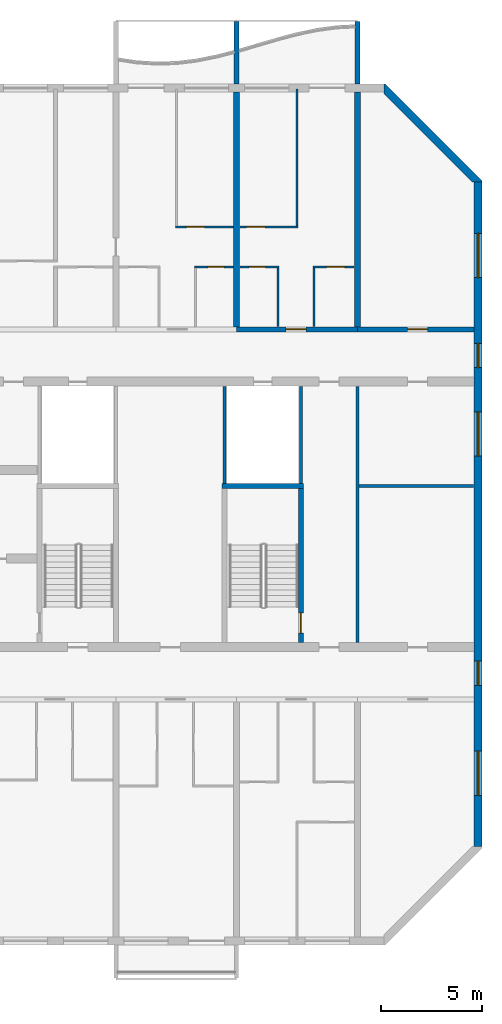
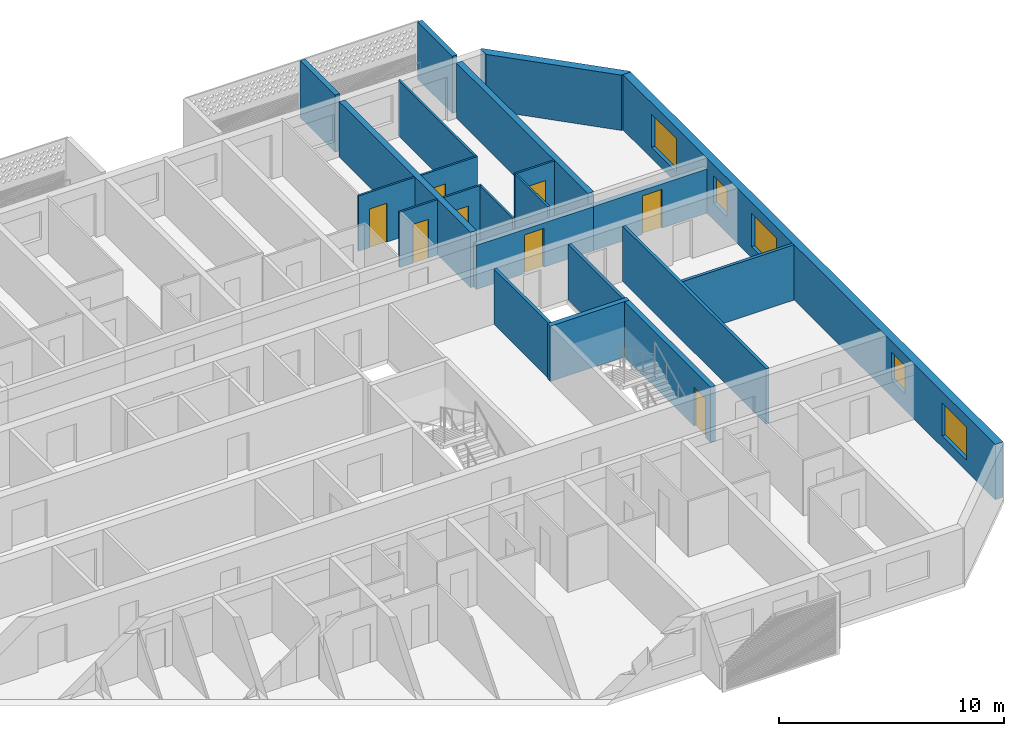
# One storey, part 12 of 32: 22 walls, 8 doors, 5 windows, 13 openings.
"""IFC4 building model written with IfcOpenShell, lengths in metres."""

import ifcopenshell
import ifcopenshell.guid

model = None  # the IFC model being written
_history = None  # IfcOwnerHistory: only IFC2X3 demands one
_inside = {}  # id of a spatial element -> (the spatial element, [elements in it])
_under = {}  # id of a project, library or spatial element -> (it, [spatial elements below it])
_declared = {}  # id of a project -> (the project, [libraries it declares])
_typed = {}  # id of a type object -> (the type object, [elements of that type])
_made_of = {}  # id of a material, layer set ... -> (it, [elements and type objects made of it])


def new_model(schema):
    """Start an empty IFC model of exactly this schema.

    Asked for "IFC4X3", IfcOpenShell would pick the latest addendum, in which some entities
    have other attributes; the version numbers below select the first issue.
    IFC2X3 requires an IfcOwnerHistory on every rooted entity: one is made here for all.
    """
    global model, _history
    if schema == "IFC4X3":
        model = ifcopenshell.file(schema_version=(4, 3, 0, 0))
    else:
        model = ifcopenshell.file(schema=schema)
    _inside.clear()
    _under.clear()
    _declared.clear()
    _typed.clear()
    _made_of.clear()
    _history = None
    if model.schema == "IFC2X3":
        org = make("IfcOrganization", Name="unknown")
        user = make(
            "IfcPersonAndOrganization",
            ThePerson=make("IfcPerson", FamilyName="unknown"),
            TheOrganization=org,
        )
        app = make(
            "IfcApplication",
            ApplicationDeveloper=org,
            Version="unknown",
            ApplicationFullName="unknown",
            ApplicationIdentifier="unknown",
        )
        _history = make(
            "IfcOwnerHistory",
            OwningUser=user,
            OwningApplication=app,
            ChangeAction="ADDED",
            CreationDate=0,
        )
    return model


def make(cls, **values):
    """One entity of the class cls with the attributes given. An attribute that is None is left unset."""
    return model.create_entity(
        cls, **{name: value for name, value in values.items() if value is not None}
    )


def rooted(cls, **values):
    """An entity with a GlobalId (a new one), such as an element, a storey or a relation."""
    return make(cls, GlobalId=ifcopenshell.guid.new(), OwnerHistory=_history, **values)


def si_unit(unit_type, name, prefix=None):
    """IfcSIUnit, for example si_unit("LENGTHUNIT", "METRE", prefix="MILLI")."""
    return make("IfcSIUnit", UnitType=unit_type, Prefix=prefix, Name=name)


def assignment(units):
    """IfcUnitAssignment: the units of a project."""
    return None if units is None else make("IfcUnitAssignment", Units=units)


def point(xyz):
    """IfcCartesianPoint."""
    return None if xyz is None else make("IfcCartesianPoint", Coordinates=xyz)


def direction(xyz):
    """IfcDirection."""
    return None if xyz is None else make("IfcDirection", DirectionRatios=xyz)


def frame(location, z_axis=None, x_axis=None):
    """IfcAxis2Placement3D, a coordinate frame: its origin and axes. An axis left out is left unset."""
    return make(
        "IfcAxis2Placement3D",
        Location=point(location),
        Axis=direction(z_axis),
        RefDirection=direction(x_axis),
    )


def frame_2d(location, x_axis=None):
    """IfcAxis2Placement2D, a coordinate frame in the plane: its origin and x axis."""
    return make(
        "IfcAxis2Placement2D", Location=point(location), RefDirection=direction(x_axis)
    )


def origin():
    """The frame at (0, 0, 0) with its axes left unset."""
    return frame((0.0, 0.0, 0.0))


def place(relative_to, where):
    """IfcLocalPlacement: puts the frame where relative to a parent placement (None: the world)."""
    return make(
        "IfcLocalPlacement", PlacementRelTo=relative_to, RelativePlacement=where
    )


def context(
    kind, dimensions, precision=None, world=None, true_north=None, identifier=None
):
    """IfcGeometricRepresentationContext, for example the 3D "Model" context."""
    return make(
        "IfcGeometricRepresentationContext",
        ContextIdentifier=identifier,
        ContextType=kind,
        CoordinateSpaceDimension=dimensions,
        Precision=precision,
        WorldCoordinateSystem=world,
        TrueNorth=true_north,
    )


def subcontext(parent, identifier, kind, view, scale=None):
    """IfcGeometricRepresentationSubContext, for example "Body" below "Model"."""
    return make(
        "IfcGeometricRepresentationSubContext",
        ContextIdentifier=identifier,
        ContextType=kind,
        ParentContext=parent,
        TargetScale=scale,
        TargetView=view,
    )


def project(units=None, contexts=None):
    """IfcProject with its units and contexts."""
    return rooted(
        "IfcProject",
        Name="project",
        RepresentationContexts=contexts,
        UnitsInContext=assignment(units),
    )


def spatial(cls, under=None, at=None, **own):
    """A site, building, storey or space (cls), placed at a placement, below another one or the project."""
    s = rooted(cls, ObjectPlacement=at, **own)
    if under is not None:
        _under.setdefault(under.id(), (under, []))[1].append(s)
    return s


def polyline(points):
    """IfcPolyline through the points."""
    return make("IfcPolyline", Points=[point(p) for p in points])


def profile(cls, at=None, kind="AREA", **sizes):
    """A parametric profile (cls). Its sizes go by their IFC names, for example OverallWidth=200.0."""
    return make(cls, ProfileType=kind, Position=at, **sizes)


def rectangle(**sizes):
    """IfcRectangleProfileDef."""
    return profile("IfcRectangleProfileDef", **sizes)


def outline(outer, holes=None, kind="AREA"):
    """IfcArbitraryClosedProfileDef: a profile drawn as a closed curve; with holes, ...WithVoids."""
    if holes is None:
        return make("IfcArbitraryClosedProfileDef", ProfileType=kind, OuterCurve=outer)
    return make(
        "IfcArbitraryProfileDefWithVoids",
        ProfileType=kind,
        OuterCurve=outer,
        InnerCurves=holes,
    )


def extrude(swept, where, along, depth):
    """IfcExtrudedAreaSolid: the profile swept, set in the frame where, extruded along a direction by depth."""
    return make(
        "IfcExtrudedAreaSolid",
        SweptArea=swept,
        Position=where,
        ExtrudedDirection=direction(along),
        Depth=depth,
    )


def shape(context_of_items, identifier, shape_type, items):
    """IfcShapeRepresentation: the items that make up one representation, for example the "Body"."""
    return make(
        "IfcShapeRepresentation",
        ContextOfItems=context_of_items,
        RepresentationIdentifier=identifier,
        RepresentationType=shape_type,
        Items=items,
    )


def source(mapping_origin, context_of_items, identifier, shape_type, items):
    """IfcRepresentationMap: a shape defined once, which mapped items show again and again."""
    return make(
        "IfcRepresentationMap",
        MappingOrigin=mapping_origin,
        MappedRepresentation=shape(context_of_items, identifier, shape_type, items),
    )


def transform(
    local_origin,
    x_axis=None,
    y_axis=None,
    z_axis=None,
    scale=None,
    scale2=None,
    scale3=None,
    uniform=True,
):
    """IfcCartesianTransformationOperator3D, or its non-uniform kind. x_axis, y_axis, z_axis: its Axis1, 2, 3."""
    if uniform:
        return make(
            "IfcCartesianTransformationOperator3D",
            Axis1=direction(x_axis),
            Axis2=direction(y_axis),
            LocalOrigin=point(local_origin),
            Scale=scale,
            Axis3=direction(z_axis),
        )
    return make(
        "IfcCartesianTransformationOperator3DnonUniform",
        Axis1=direction(x_axis),
        Axis2=direction(y_axis),
        LocalOrigin=point(local_origin),
        Scale=scale,
        Axis3=direction(z_axis),
        Scale2=scale2,
        Scale3=scale3,
    )


def mapped(mapping_source, mapping_target):
    """IfcMappedItem: shows the shape of a source again, moved by a transform."""
    return make(
        "IfcMappedItem", MappingSource=mapping_source, MappingTarget=mapping_target
    )


def material(Name=None, Category=None):
    """IfcMaterial."""
    return make("IfcMaterial", Name=Name, Category=Category)


def layer(
    of_material, thickness, ventilated=None, Name=None, Category=None, Priority=None
):
    """IfcMaterialLayer: one layer of a wall or slab, of a material (None: an air gap)."""
    return make(
        "IfcMaterialLayer",
        Material=of_material,
        LayerThickness=thickness,
        IsVentilated=ventilated,
        Name=Name,
        Category=Category,
        Priority=Priority,
    )


def layer_set(layers, Name=None):
    """IfcMaterialLayerSet."""
    return make("IfcMaterialLayerSet", MaterialLayers=layers, LayerSetName=Name)


def made_of(thing, what):
    """Note that an element or type object is made of a material, layer set ...; save() writes the relation."""
    if what is not None:
        _made_of.setdefault(what.id(), (what, []))[1].append(thing)
    return thing


def type_object(cls, material=None, **own):
    """A type object (cls), such as IfcWallType, which elements share."""
    return made_of(rooted(cls, **own), material)


def element(
    cls,
    number,
    at=None,
    inside=None,
    cuts=None,
    type_object=None,
    material=None,
    context=None,
    identifier="Body",
    shape_type=None,
    held_by="IfcProductDefinitionShape",
    body=None,
    shapes=None,
    **own,
):
    """One element of the class cls, such as IfcWall. Its Tag is "e" and its number.

    at: its placement. inside: the storey or other place that contains it. cuts: it is an
    opening in that element (IfcRelVoidsElement). A single representation is given by context,
    identifier, shape_type and body (its items); several are given by shapes. held_by: the class
    of the entity that holds the representations. save() writes the other relations.
    """
    e = rooted(cls, Tag="e%d" % number, ObjectPlacement=at, **own)
    if body is not None:
        shapes = [shape(context, identifier, shape_type, body)]
    if shapes is not None:
        e.Representation = make(held_by, Representations=shapes)
    if inside is not None:
        _inside.setdefault(inside.id(), (inside, []))[1].append(e)
    if cuts is not None:
        rooted(
            "IfcRelVoidsElement", RelatingBuildingElement=cuts, RelatedOpeningElement=e
        )
    if type_object is not None:
        _typed.setdefault(type_object.id(), (type_object, []))[1].append(e)
    return made_of(e, material)


def fill(opening, filler):
    """IfcRelFillsElement: the door or window that sits in an opening."""
    return rooted(
        "IfcRelFillsElement",
        RelatingOpeningElement=opening,
        RelatedBuildingElement=filler,
    )


def aggregate(whole, parts):
    """IfcRelAggregates: a whole, such as a stair, and the parts it consists of."""
    return rooted("IfcRelAggregates", RelatingObject=whole, RelatedObjects=parts)


def save(model, path):
    """Write the relations noted so far, then the file.

    IfcRelAggregates (storeys below a building ...), IfcRelContainedInSpatialStructure (elements
    in a storey), IfcRelDefinesByType, IfcRelAssociatesMaterial and IfcRelDeclares: one each for
    every whole, place, type object, material and project.
    """
    for whole, parts in _under.values():
        aggregate(whole, parts)
    for where, things in _inside.values():
        rooted(
            "IfcRelContainedInSpatialStructure",
            RelatedElements=things,
            RelatingStructure=where,
        )
    for kind, things in _typed.values():
        rooted("IfcRelDefinesByType", RelatedObjects=things, RelatingType=kind)
    for what, things in _made_of.values():
        rooted("IfcRelAssociatesMaterial", RelatedObjects=things, RelatingMaterial=what)
    for by, libraries in _declared.values():
        rooted("IfcRelDeclares", RelatingContext=by, RelatedDefinitions=libraries)
    model.write(path)


model = new_model("IFC4")

# Units and contexts
model_context = context("Model", 3, precision=1e-05, world=origin(), true_north=direction((0.0, 1.0)))
body_context = subcontext(model_context, "Body", "Model", "MODEL_VIEW")
ifc_project = project(units=[si_unit("LENGTHUNIT", "METRE"), si_unit("AREAUNIT", "SQUARE_METRE"), si_unit("VOLUMEUNIT", "CUBIC_METRE"), si_unit("PLANEANGLEUNIT", "RADIAN"), si_unit("MASSUNIT", "GRAM", prefix="KILO")], contexts=[model_context])

# Site, building, storey
site_placement = place(None, origin())
site = spatial("IfcSite", under=ifc_project, at=site_placement, CompositionType="ELEMENT")
building_placement = place(site_placement, origin())
building = spatial("IfcBuilding", under=site, at=building_placement, Name="Poui Terraces", CompositionType="ELEMENT")
storey_placement = place(building_placement, frame((0.0, 0.0, 155.39990234375)))
storey = spatial("IfcBuildingStorey", under=building, at=storey_placement, Name="L43", CompositionType="ELEMENT", Elevation=155.39990234375)

# Wall
ifc_material_1 = material(Name="Fire-rated plasterboard wall")
ifc_layer_1 = layer(ifc_material_1, 0.14990234375)
ifc_layer_set_1 = layer_set([ifc_layer_1], Name="Fire-rated plasterboard wall")
wall_type_1 = type_object("IfcWallType", Name="CORRIDOR WALL 150", PredefinedType="PARTITIONING", material=ifc_layer_set_1)
wall_1_placement = place(storey_placement, frame((84.0, 14.8349609375, 0.0), z_axis=(0.0, 0.0, 1.0), x_axis=(0.0, 1.0, 0.0)))
element("IfcWall", 1, at=wall_1_placement, inside=storey, type_object=wall_type_1, Name="CORRIDOR WALL 150", PredefinedType="PARTITIONING", context=body_context, shape_type="SweptSolid", body=[
    extrude(rectangle(XDim=12.72998046875, YDim=0.14990234375, at=frame_2d((6.364990234375, 0.0))), origin(), (0.0, 0.0, 1.0), 3.0),
])

# Wall, opening, door
ifc_material_2 = material(Name="Concrete 65 MPa", Category="concrete")
ifc_layer_2 = layer(ifc_material_2, 0.25)
ifc_layer_set_2 = layer_set([ifc_layer_2], Name="Concrete 65 MPa")
wall_type_2 = type_object("IfcWallType", Name="CORRIDOR WALL 250 65MPa", PredefinedType="SHEAR", material=ifc_layer_set_2)
wall_2_placement = place(storey_placement, frame((78.0, 30.39990234375, 0.0), z_axis=(0.0, 0.0, 1.0), x_axis=(1.0, 0.0, 0.0)))
wall_2 = element("IfcWall", 2, at=wall_2_placement, inside=storey, type_object=wall_type_2, Name="CORRIDOR WALL LINE E BAY 12", PredefinedType="SHEAR", context=body_context, shape_type="SweptSolid", body=[
    extrude(rectangle(XDim=6.0, YDim=0.25, at=frame_2d((3.0, 0.0))), origin(), (0.0, 0.0, 1.0), 2.400146484375),
])
opening_1_placement = place(wall_2_placement, frame((2.449951171875, 0.0, 0.0)))
opening_1 = element("IfcOpeningElement", 3, at=opening_1_placement, cuts=wall_2, Name="Opening FD30S", PredefinedType="OPENING", context=body_context, shape_type="SweptSolid", body=[
    extrude(rectangle(XDim=1.0, YDim=2.10009765625, at=frame_2d((0.5, 1.050048828125))), frame((0.0, 0.135009765625, 0.0), z_axis=(0.0, -1.0, 0.0), x_axis=(1.0, 0.0, 0.0)), (0.0, 0.0, 1.0), 0.27001953125),
])
ifc_material_3 = material(Name="Steel fire door", Category="steel")
door_type_1 = type_object("IfcDoorType", Name="FLAT ENTRANCE DOOR 1000 X 2100", OperationType="NOTDEFINED", PredefinedType="DOOR", material=ifc_material_3)
door_1_placement = place(opening_1_placement, origin())
door_1 = element("IfcDoor", 4, at=door_1_placement, inside=storey, type_object=door_type_1, Name="FLAT ENTRANCE DOOR 071", OperationType="SINGLE_SWING_LEFT", OverallHeight=2.10009765625, OverallWidth=1.0, PredefinedType="DOOR", context=body_context, shape_type="SweptSolid", body=[
    extrude(rectangle(XDim=1.0, YDim=2.10009765625, at=frame_2d((0.5, 1.050048828125))), frame((0.0, 0.02490234375, 0.0), z_axis=(0.0, -1.0, 0.0), x_axis=(1.0, 0.0, 0.0)), (0.0, 0.0, 1.0), 0.050048828125),
])
fill(opening_1, door_1)

wall_3_placement = place(storey_placement, frame((84.0, 30.39990234375, 0.0), z_axis=(0.0, 0.0, 1.0), x_axis=(1.0, 0.0, 0.0)))
wall_3 = element("IfcWall", 5, at=wall_3_placement, inside=storey, type_object=wall_type_2, Name="CORRIDOR WALL LINE E BAY 13", PredefinedType="SHEAR", context=body_context, shape_type="SweptSolid", body=[
    extrude(rectangle(XDim=5.800048828125, YDim=0.25, at=frame_2d((2.89990234375, 0.0))), origin(), (0.0, 0.0, 1.0), 2.400146484375),
])
opening_2_placement = place(wall_3_placement, frame((2.5, 0.0, 0.0)))
opening_2 = element("IfcOpeningElement", 6, at=opening_2_placement, cuts=wall_3, Name="Opening D100", PredefinedType="OPENING", context=body_context, shape_type="SweptSolid", body=[
    extrude(rectangle(XDim=1.0, YDim=2.10009765625, at=frame_2d((0.5, 1.050048828125))), frame((0.0, 0.135009765625, 0.0), z_axis=(0.0, -1.0, 0.0), x_axis=(1.0, 0.0, 0.0)), (0.0, 0.0, 1.0), 0.27001953125),
])
ifc_material_4 = material(Name="Solid core timber door", Category="wood")
door_type_2 = type_object("IfcDoorType", Name="ACCESSIBLE INTERNAL DOOR 1000 X 2100", OperationType="NOTDEFINED", PredefinedType="DOOR", material=ifc_material_4)
door_2_placement = place(opening_2_placement, origin())
door_2 = element("IfcDoor", 7, at=door_2_placement, inside=storey, type_object=door_type_2, Name="ACCESSIBLE INTERNAL DOOR 073", OperationType="SINGLE_SWING_LEFT", OverallHeight=2.10009765625, OverallWidth=1.0, PredefinedType="DOOR", context=body_context, shape_type="SweptSolid", body=[
    extrude(rectangle(XDim=1.0, YDim=2.10009765625, at=frame_2d((0.5, 1.050048828125))), frame((0.0, 0.02490234375, 0.0), z_axis=(0.0, -1.0, 0.0), x_axis=(1.0, 0.0, 0.0)), (0.0, 0.0, 1.0), 0.050048828125),
])
fill(opening_2, door_2)

# Walls
ifc_layer_3 = layer(ifc_material_2, 0.300048828125)
ifc_layer_set_3 = layer_set([ifc_layer_3], Name="Concrete 65 MPa")
wall_type_3 = type_object("IfcWallType", Name="CROSS WALL 300 65MPa", PredefinedType="SHEAR", material=ifc_layer_set_3)
for number, where, z_axis, x_axis, name in (
    (8, (78.0, 30.52490234375, 0.0), (0.0, 0.0, 1.0), (0.0, 1.0, 0.0), "CROSS WALL LINE 14 NORTH"),
    (9, (84.0, 30.52490234375, 0.0), (0.0, 0.0, 1.0), (0.0, 1.0, 0.0), "CROSS WALL LINE 15 NORTH"),
):
    element("IfcWall", number, at=place(storey_placement, frame(where, z_axis=z_axis, x_axis=x_axis)), inside=storey, type_object=wall_type_3, Name=name, PredefinedType="SHEAR", context=body_context, shape_type="SweptSolid", body=[
        extrude(rectangle(XDim=11.675048828125, YDim=0.300048828125, at=frame_2d((5.83740234375, 0.0))), origin(), (0.0, 0.0, 1.0), 3.0),
    ])

# Wall, openings, windows
ifc_layer_4 = layer(ifc_material_2, 0.39990234375)
ifc_layer_set_4 = layer_set([ifc_layer_4], Name="Concrete 65 MPa")
wall_type_4 = type_object("IfcWallType", Name="END WALL 400 65MPa", PredefinedType="SHEAR", material=ifc_layer_set_4)
wall_4_placement = place(storey_placement, frame((90.0, 4.682861328125, 0.0), z_axis=(0.0, 0.0, 1.0), x_axis=(0.0, 1.0, 0.0)))
wall_4 = element("IfcWall", 10, at=wall_4_placement, inside=storey, type_object=wall_type_4, Name="END WALL EAST", PredefinedType="SHEAR", context=body_context, shape_type="SweptSolid", body=[
    extrude(rectangle(XDim=33.034423828125, YDim=0.39990234375, at=frame_2d((16.51708984375, 0.0))), origin(), (0.0, 0.0, 1.0), 3.0),
])
opening_3_placement = place(wall_4_placement, frame((23.817138671875, 0.0, 0.89990234375)))
opening_3 = element("IfcOpeningElement", 11, at=opening_3_placement, cuts=wall_4, Name="Opening W2", PredefinedType="OPENING", context=body_context, shape_type="SweptSolid", body=[
    extrude(rectangle(XDim=1.199951171875, YDim=1.5, at=frame_2d((0.60009765625, 0.75))), frame((0.0, 0.2099609375, 0.0), z_axis=(0.0, -1.0, 0.0), x_axis=(1.0, 0.0, 0.0)), (0.0, 0.0, 1.0), 0.419921875),
])
opening_4_placement = place(wall_4_placement, frame((8.01708984375, 0.0, 0.89990234375)))
opening_4 = element("IfcOpeningElement", 12, at=opening_4_placement, cuts=wall_4, Name="Opening W2", PredefinedType="OPENING", context=body_context, shape_type="SweptSolid", body=[
    extrude(rectangle(XDim=1.199951171875, YDim=1.5, at=frame_2d((0.60009765625, 0.75))), frame((0.0, 0.2099609375, 0.0), z_axis=(0.0, -1.0, 0.0), x_axis=(1.0, 0.0, 0.0)), (0.0, 0.0, 1.0), 0.419921875),
])
opening_5_placement = place(wall_4_placement, frame((28.29345703125, 0.0, 0.60009765625)))
opening_5 = element("IfcOpeningElement", 13, at=opening_5_placement, cuts=wall_4, Name="Opening W3", PredefinedType="OPENING", context=body_context, shape_type="SweptSolid", body=[
    extrude(rectangle(XDim=2.199951171875, YDim=1.800048828125, at=frame_2d((1.10009765625, 0.89990234375))), frame((0.0, 0.2099609375, 0.0), z_axis=(0.0, -1.0, 0.0), x_axis=(1.0, 0.0, 0.0)), (0.0, 0.0, 1.0), 0.419921875),
])
opening_6_placement = place(wall_4_placement, frame((2.541015625, 0.0, 0.60009765625)))
opening_6 = element("IfcOpeningElement", 14, at=opening_6_placement, cuts=wall_4, Name="Opening W3", PredefinedType="OPENING", context=body_context, shape_type="SweptSolid", body=[
    extrude(rectangle(XDim=2.199951171875, YDim=1.800048828125, at=frame_2d((1.10009765625, 0.89990234375))), frame((0.0, 0.2099609375, 0.0), z_axis=(0.0, -1.0, 0.0), x_axis=(1.0, 0.0, 0.0)), (0.0, 0.0, 1.0), 0.419921875),
])
opening_7_placement = place(wall_4_placement, frame((19.417236328125, 0.0, 0.60009765625)))
opening_7 = element("IfcOpeningElement", 15, at=opening_7_placement, cuts=wall_4, Name="Opening W3", PredefinedType="OPENING", context=body_context, shape_type="SweptSolid", body=[
    extrude(rectangle(XDim=2.199951171875, YDim=1.800048828125, at=frame_2d((1.10009765625, 0.89990234375))), frame((0.0, 0.2099609375, 0.0), z_axis=(0.0, -1.0, 0.0), x_axis=(1.0, 0.0, 0.0)), (0.0, 0.0, 1.0), 0.419921875),
])
ifc_material_5 = material(Name="Clear glass in aluminium frame", Category="aluminium")
window_type_1 = type_object("IfcWindowType", Name="WINDOW 1200X1500", PartitioningType="SINGLE_PANEL", PredefinedType="WINDOW", material=ifc_material_5)
window_1_placement = place(opening_3_placement, origin())
window_1 = element("IfcWindow", 16, at=window_1_placement, inside=storey, type_object=window_type_1, Name="W2 WINDOW", OverallHeight=1.5, OverallWidth=1.199951171875, PartitioningType="SINGLE_PANEL", PredefinedType="WINDOW", context=body_context, shape_type="SweptSolid", body=[
    extrude(rectangle(XDim=1.199951171875, YDim=1.5, at=frame_2d((0.60009765625, 0.75))), frame((0.0, 0.030029296875, 0.0), z_axis=(0.0, -1.0, 0.0), x_axis=(1.0, 0.0, 0.0)), (0.0, 0.0, 1.0), 0.06005859375),
])
fill(opening_3, window_1)
window_2_placement = place(opening_4_placement, origin())
window_2 = element("IfcWindow", 17, at=window_2_placement, inside=storey, type_object=window_type_1, Name="W2 WINDOW", OverallHeight=1.5, OverallWidth=1.199951171875, PartitioningType="SINGLE_PANEL", PredefinedType="WINDOW", context=body_context, shape_type="SweptSolid", body=[
    extrude(rectangle(XDim=1.199951171875, YDim=1.5, at=frame_2d((0.60009765625, 0.75))), frame((0.0, 0.030029296875, 0.0), z_axis=(0.0, -1.0, 0.0), x_axis=(1.0, 0.0, 0.0)), (0.0, 0.0, 1.0), 0.06005859375),
])
fill(opening_4, window_2)
window_type_2 = type_object("IfcWindowType", Name="WINDOW 2200X1800", PartitioningType="DOUBLE_PANEL_HORIZONTAL", PredefinedType="WINDOW", material=ifc_material_5)
window_3_placement = place(opening_5_placement, origin())
window_3 = element("IfcWindow", 18, at=window_3_placement, inside=storey, type_object=window_type_2, Name="W3 WINDOW", OverallHeight=1.800048828125, OverallWidth=2.199951171875, PartitioningType="DOUBLE_PANEL_HORIZONTAL", PredefinedType="WINDOW", context=body_context, shape_type="SweptSolid", body=[
    extrude(rectangle(XDim=2.199951171875, YDim=1.800048828125, at=frame_2d((1.10009765625, 0.89990234375))), frame((0.0, 0.030029296875, 0.0), z_axis=(0.0, -1.0, 0.0), x_axis=(1.0, 0.0, 0.0)), (0.0, 0.0, 1.0), 0.06005859375),
])
fill(opening_5, window_3)
window_4_placement = place(opening_6_placement, origin())
window_4 = element("IfcWindow", 19, at=window_4_placement, inside=storey, type_object=window_type_2, Name="W3 WINDOW", OverallHeight=1.800048828125, OverallWidth=2.199951171875, PartitioningType="DOUBLE_PANEL_HORIZONTAL", PredefinedType="WINDOW", context=body_context, shape_type="SweptSolid", body=[
    extrude(rectangle(XDim=2.199951171875, YDim=1.800048828125, at=frame_2d((1.10009765625, 0.89990234375))), frame((0.0, 0.030029296875, 0.0), z_axis=(0.0, -1.0, 0.0), x_axis=(1.0, 0.0, 0.0)), (0.0, 0.0, 1.0), 0.06005859375),
])
fill(opening_6, window_4)
window_5_placement = place(opening_7_placement, origin())
window_5 = element("IfcWindow", 20, at=window_5_placement, inside=storey, type_object=window_type_2, Name="W3 WINDOW", OverallHeight=1.800048828125, OverallWidth=2.199951171875, PartitioningType="DOUBLE_PANEL_HORIZONTAL", PredefinedType="WINDOW", context=body_context, shape_type="SweptSolid", body=[
    extrude(rectangle(XDim=2.199951171875, YDim=1.800048828125, at=frame_2d((1.10009765625, 0.89990234375))), frame((0.0, 0.030029296875, 0.0), z_axis=(0.0, -1.0, 0.0), x_axis=(1.0, 0.0, 0.0)), (0.0, 0.0, 1.0), 0.06005859375),
])
fill(opening_7, window_5)

# Wall, opening, door
ifc_material_6 = material(Name="Plasterboard partition")
ifc_layer_5 = layer(ifc_material_6, 0.10009765625)
ifc_layer_set_5 = layer_set([ifc_layer_5], Name="Plasterboard partition")
wall_type_5 = type_object("IfcWallType", Name="FLAT PARTITION 100", PredefinedType="PARTITIONING", material=ifc_layer_set_5)
wall_5_placement = place(storey_placement, frame((75.89990234375, 33.5, 0.0), z_axis=(0.0, 0.0, 1.0), x_axis=(1.0, 0.0, 0.0)))
wall_5 = element("IfcWall", 21, at=wall_5_placement, inside=storey, type_object=wall_type_5, Name="FLAT PARTITION 100", PredefinedType="PARTITIONING", context=body_context, shape_type="SweptSolid", body=[
    extrude(rectangle(XDim=1.940185546875, YDim=0.10009765625, at=frame_2d((0.97021484375, 0.0))), origin(), (0.0, 0.0, 1.0), 3.0),
])
opening_8_placement = place(wall_5_placement, frame((0.675048828125, 0.0, 0.0)))
opening_8 = element("IfcOpeningElement", 22, at=opening_8_placement, cuts=wall_5, Name="Opening D80", PredefinedType="OPENING", context=body_context, shape_type="SweptSolid", body=[
    extrude(rectangle(XDim=0.800048828125, YDim=2.10009765625, at=frame_2d((0.39990234375, 1.050048828125))), frame((0.0, 0.06005859375, 0.0), z_axis=(0.0, -1.0, 0.0), x_axis=(1.0, 0.0, 0.0)), (0.0, 0.0, 1.0), 0.1201171875),
])
door_type_3 = type_object("IfcDoorType", Name="BATHROOM, LAUNDRY AND STORE DOOR 800 X 2100", OperationType="NOTDEFINED", PredefinedType="DOOR", material=ifc_material_4)
door_3_placement = place(opening_8_placement, frame((0.800048828125, 0.0, 0.0), z_axis=(0.0, 0.0, 1.0), x_axis=(-1.0, 0.0, 0.0)))
door_3 = element("IfcDoor", 23, at=door_3_placement, inside=storey, type_object=door_type_3, Name="BATHROOM, LAUNDRY AND STORE DOOR 068", OperationType="SINGLE_SWING_RIGHT", OverallHeight=2.10009765625, OverallWidth=0.800048828125, PredefinedType="DOOR", context=body_context, shape_type="SweptSolid", body=[
    extrude(rectangle(XDim=0.800048828125, YDim=2.10009765625, at=frame_2d((0.39990234375, 1.050048828125))), frame((0.0, 0.02490234375, 0.0), z_axis=(0.0, -1.0, 0.0), x_axis=(1.0, 0.0, 0.0)), (0.0, 0.0, 1.0), 0.050048828125),
])
fill(opening_8, door_3)

wall_6_placement = place(storey_placement, frame((78.159912109375, 33.5, 0.0), z_axis=(0.0, 0.0, 1.0), x_axis=(1.0, 0.0, 0.0)))
wall_6 = element("IfcWall", 24, at=wall_6_placement, inside=storey, type_object=wall_type_5, Name="FLAT PARTITION 100", PredefinedType="PARTITIONING", context=body_context, shape_type="SweptSolid", body=[
    extrude(rectangle(XDim=1.940185546875, YDim=0.10009765625, at=frame_2d((0.97021484375, 0.0))), origin(), (0.0, 0.0, 1.0), 3.0),
])
opening_9_placement = place(wall_6_placement, frame((0.465087890625, 0.0, 0.0)))
opening_9 = element("IfcOpeningElement", 25, at=opening_9_placement, cuts=wall_6, Name="Opening D80", PredefinedType="OPENING", context=body_context, shape_type="SweptSolid", body=[
    extrude(rectangle(XDim=0.800048828125, YDim=2.10009765625, at=frame_2d((0.39990234375, 1.050048828125))), frame((0.0, 0.06005859375, 0.0), z_axis=(0.0, -1.0, 0.0), x_axis=(1.0, 0.0, 0.0)), (0.0, 0.0, 1.0), 0.1201171875),
])
door_4_placement = place(opening_9_placement, frame((0.800048828125, 0.0, 0.0), z_axis=(0.0, 0.0, 1.0), x_axis=(-1.0, 0.0, 0.0)))
door_4 = element("IfcDoor", 26, at=door_4_placement, inside=storey, type_object=door_type_3, Name="BATHROOM, LAUNDRY AND STORE DOOR 070", OperationType="SINGLE_SWING_RIGHT", OverallHeight=2.10009765625, OverallWidth=0.800048828125, PredefinedType="DOOR", context=body_context, shape_type="SweptSolid", body=[
    extrude(rectangle(XDim=0.800048828125, YDim=2.10009765625, at=frame_2d((0.39990234375, 1.050048828125))), frame((0.0, 0.02490234375, 0.0), z_axis=(0.0, -1.0, 0.0), x_axis=(1.0, 0.0, 0.0)), (0.0, 0.0, 1.0), 0.050048828125),
])
fill(opening_9, door_4)

wall_7_placement = place(storey_placement, frame((81.800048828125, 33.5, 0.0), z_axis=(0.0, 0.0, 1.0), x_axis=(1.0, 0.0, 0.0)))
wall_7 = element("IfcWall", 27, at=wall_7_placement, inside=storey, type_object=wall_type_5, Name="FLAT PARTITION 100", PredefinedType="PARTITIONING", context=body_context, shape_type="SweptSolid", body=[
    extrude(rectangle(XDim=2.0400390625, YDim=0.10009765625, at=frame_2d((1.02001953125, 0.0))), origin(), (0.0, 0.0, 1.0), 3.0),
])
opening_10_placement = place(wall_7_placement, frame((0.675048828125, 0.0, 0.0)))
opening_10 = element("IfcOpeningElement", 28, at=opening_10_placement, cuts=wall_7, Name="Opening D90", PredefinedType="OPENING", context=body_context, shape_type="SweptSolid", body=[
    extrude(rectangle(XDim=0.89990234375, YDim=2.10009765625, at=frame_2d((0.449951171875, 1.050048828125))), frame((0.0, 0.06005859375, 0.0), z_axis=(0.0, -1.0, 0.0), x_axis=(1.0, 0.0, 0.0)), (0.0, 0.0, 1.0), 0.1201171875),
])
door_type_4 = type_object("IfcDoorType", Name="INTERNAL DOOR 900 X 2100", OperationType="NOTDEFINED", PredefinedType="DOOR", material=ifc_material_4)
door_5_placement = place(opening_10_placement, frame((0.89990234375, 0.0, 0.0), z_axis=(0.0, 0.0, 1.0), x_axis=(-1.0, 0.0, 0.0)))
door_5 = element("IfcDoor", 29, at=door_5_placement, inside=storey, type_object=door_type_4, Name="INTERNAL DOOR 072", OperationType="SINGLE_SWING_LEFT", OverallHeight=2.10009765625, OverallWidth=0.89990234375, PredefinedType="DOOR", context=body_context, shape_type="SweptSolid", body=[
    extrude(rectangle(XDim=0.89990234375, YDim=2.10009765625, at=frame_2d((0.449951171875, 1.050048828125))), frame((0.0, 0.02490234375, 0.0), z_axis=(0.0, -1.0, 0.0), x_axis=(1.0, 0.0, 0.0)), (0.0, 0.0, 1.0), 0.050048828125),
])
fill(opening_10, door_5)

wall_8_placement = place(storey_placement, frame((74.949951171875, 35.5, 0.0), z_axis=(0.0, 0.0, 1.0), x_axis=(1.0, 0.0, 0.0)))
wall_8 = element("IfcWall", 30, at=wall_8_placement, inside=storey, type_object=wall_type_5, Name="FLAT PARTITION 100", PredefinedType="PARTITIONING", context=body_context, shape_type="SweptSolid", body=[
    extrude(rectangle(XDim=2.89013671875, YDim=0.10009765625, at=frame_2d((1.445068359375, 0.0))), origin(), (0.0, 0.0, 1.0), 3.0),
])
opening_11_placement = place(wall_8_placement, frame((0.550048828125, 0.0, 0.0)))
opening_11 = element("IfcOpeningElement", 31, at=opening_11_placement, cuts=wall_8, Name="Opening D90", PredefinedType="OPENING", context=body_context, shape_type="SweptSolid", body=[
    extrude(rectangle(XDim=0.89990234375, YDim=2.10009765625, at=frame_2d((0.449951171875, 1.050048828125))), frame((0.0, 0.06005859375, 0.0), z_axis=(0.0, -1.0, 0.0), x_axis=(1.0, 0.0, 0.0)), (0.0, 0.0, 1.0), 0.1201171875),
])
door_6_placement = place(opening_11_placement, frame((0.89990234375, 0.0, 0.0), z_axis=(0.0, 0.0, 1.0), x_axis=(-1.0, 0.0, 0.0)))
door_6 = element("IfcDoor", 32, at=door_6_placement, inside=storey, type_object=door_type_4, Name="INTERNAL DOOR 067", OperationType="SINGLE_SWING_LEFT", OverallHeight=2.10009765625, OverallWidth=0.89990234375, PredefinedType="DOOR", context=body_context, shape_type="SweptSolid", body=[
    extrude(rectangle(XDim=0.89990234375, YDim=2.10009765625, at=frame_2d((0.449951171875, 1.050048828125))), frame((0.0, 0.02490234375, 0.0), z_axis=(0.0, -1.0, 0.0), x_axis=(1.0, 0.0, 0.0)), (0.0, 0.0, 1.0), 0.050048828125),
])
fill(opening_11, door_6)

wall_9_placement = place(storey_placement, frame((78.159912109375, 35.5, 0.0), z_axis=(0.0, 0.0, 1.0), x_axis=(1.0, 0.0, 0.0)))
wall_9 = element("IfcWall", 33, at=wall_9_placement, inside=storey, type_object=wall_type_5, Name="FLAT PARTITION 100", PredefinedType="PARTITIONING", context=body_context, shape_type="SweptSolid", body=[
    extrude(rectangle(XDim=2.89013671875, YDim=0.10009765625, at=frame_2d((1.445068359375, 0.0))), origin(), (0.0, 0.0, 1.0), 3.0),
])
opening_12_placement = place(wall_9_placement, frame((0.340087890625, 0.0, 0.0)))
opening_12 = element("IfcOpeningElement", 34, at=opening_12_placement, cuts=wall_9, Name="Opening D90", PredefinedType="OPENING", context=body_context, shape_type="SweptSolid", body=[
    extrude(rectangle(XDim=0.89990234375, YDim=2.10009765625, at=frame_2d((0.449951171875, 1.050048828125))), frame((0.0, 0.06005859375, 0.0), z_axis=(0.0, -1.0, 0.0), x_axis=(1.0, 0.0, 0.0)), (0.0, 0.0, 1.0), 0.1201171875),
])
door_7_placement = place(opening_12_placement, frame((0.89990234375, 0.0, 0.0), z_axis=(0.0, 0.0, 1.0), x_axis=(-1.0, 0.0, 0.0)))
door_7 = element("IfcDoor", 35, at=door_7_placement, inside=storey, type_object=door_type_4, Name="INTERNAL DOOR 069", OperationType="SINGLE_SWING_LEFT", OverallHeight=2.10009765625, OverallWidth=0.89990234375, PredefinedType="DOOR", context=body_context, shape_type="SweptSolid", body=[
    extrude(rectangle(XDim=0.89990234375, YDim=2.10009765625, at=frame_2d((0.449951171875, 1.050048828125))), frame((0.0, 0.02490234375, 0.0), z_axis=(0.0, -1.0, 0.0), x_axis=(1.0, 0.0, 0.0)), (0.0, 0.0, 1.0), 0.050048828125),
])
fill(opening_12, door_7)

# Walls
wall_10_placement = place(storey_placement, frame((80.050048828125, 30.534912109375, 0.0), z_axis=(0.0, 0.0, 1.0), x_axis=(0.0, 1.0, 0.0)))
element("IfcWall", 36, at=wall_10_placement, inside=storey, type_object=wall_type_5, Name="FLAT PARTITION 100", PredefinedType="PARTITIONING", context=body_context, shape_type="SweptSolid", body=[
    extrude(rectangle(XDim=2.9150390625, YDim=0.10009765625, at=frame_2d((1.45751953125, 0.0))), origin(), (0.0, 0.0, 1.0), 3.0),
])
wall_11_placement = place(storey_placement, frame((81.0, 35.550048828125, 0.0), z_axis=(0.0, 0.0, 1.0), x_axis=(0.0, 1.0, 0.0)))
element("IfcWall", 37, at=wall_11_placement, inside=storey, type_object=wall_type_5, Name="FLAT PARTITION 100", PredefinedType="PARTITIONING", context=body_context, shape_type="SweptSolid", body=[
    extrude(rectangle(XDim=6.7900390625, YDim=0.10009765625, at=frame_2d((3.39501953125, 0.0))), origin(), (0.0, 0.0, 1.0), 3.0),
])
wall_12_placement = place(storey_placement, frame((81.85009765625, 30.534912109375, 0.0), z_axis=(0.0, 0.0, 1.0), x_axis=(0.0, 1.0, 0.0)))
element("IfcWall", 38, at=wall_12_placement, inside=storey, type_object=wall_type_5, Name="FLAT PARTITION 100", PredefinedType="PARTITIONING", context=body_context, shape_type="SweptSolid", body=[
    extrude(rectangle(XDim=2.9150390625, YDim=0.10009765625, at=frame_2d((1.45751953125, 0.0))), origin(), (0.0, 0.0, 1.0), 3.0),
])
ifc_layer_6 = layer(ifc_material_6, 0.14990234375)
ifc_layer_set_6 = layer_set([ifc_layer_6], Name="Plasterboard partition")
wall_type_6 = type_object("IfcWallType", Name="PARTITION WALL 150", PredefinedType="PARTITIONING", material=ifc_layer_set_6)
wall_13_placement = place(storey_placement, frame((84.074951171875, 22.60009765625, 0.0), z_axis=(0.0, 0.0, 1.0), x_axis=(1.0, 0.0, 0.0)))
element("IfcWall", 39, at=wall_13_placement, inside=storey, type_object=wall_type_6, Name="PARTITION WALL 150", PredefinedType="PARTITIONING", context=body_context, shape_type="SweptSolid", body=[
    extrude(rectangle(XDim=5.715087890625, YDim=0.14990234375, at=frame_2d((2.857421875, 0.0))), origin(), (0.0, 0.0, 1.0), 3.0),
])
ifc_material_7 = material(Name="Fire-rated plasterboard riser wall")
ifc_layer_7 = layer(ifc_material_7, 0.14990234375)
ifc_layer_set_7 = layer_set([ifc_layer_7], Name="Fire-rated plasterboard riser wall")
wall_type_7 = type_object("IfcWallType", Name="RISER WALL 150", PredefinedType="PARTITIONING", material=ifc_layer_set_7)
for number, where, z_axis, x_axis, name in (
    (40, (77.39990234375, 22.735107421875, 0.0), (0.0, 0.0, 1.0), (0.0, 1.0, 0.0), "RISER WALL 150"),
    (41, (81.199951171875, 22.735107421875, 0.0), (0.0, 0.0, 1.0), (0.0, 1.0, 0.0), "RISER WALL 150"),
):
    element("IfcWall", number, at=place(storey_placement, frame(where, z_axis=z_axis, x_axis=x_axis)), inside=storey, type_object=wall_type_7, Name=name, PredefinedType="PARTITIONING", context=body_context, shape_type="SweptSolid", body=[
        extrude(rectangle(XDim=4.829833984375, YDim=0.14990234375, at=frame_2d((2.4150390625, 0.0))), origin(), (0.0, 0.0, 1.0), 3.0),
    ])

# Wall, opening, door
ifc_layer_8 = layer(ifc_material_2, 0.25)
ifc_layer_set_8 = layer_set([ifc_layer_8], Name="Concrete 65 MPa")
wall_type_8 = type_object("IfcWallType", Name="STAIR CORE WALL 250 65 MPA", PredefinedType="SOLIDWALL", material=ifc_layer_set_8)
wall_14_placement = place(storey_placement, frame((81.199951171875, 14.824951171875, 0.0), z_axis=(0.0, 0.0, 1.0), x_axis=(0.0, 1.0, 0.0)))
wall_14 = element("IfcWall", 42, at=wall_14_placement, inside=storey, type_object=wall_type_8, Name="STAIR CORE WALL", PredefinedType="SOLIDWALL", context=body_context, shape_type="SweptSolid", body=[
    extrude(rectangle(XDim=7.650146484375, YDim=0.25, at=frame_2d((3.8251953125, 0.0))), origin(), (0.0, 0.0, 1.0), 3.0),
])
opening_13_placement = place(wall_14_placement, frame((0.47509765625, 0.0, 0.0)))
opening_13 = element("IfcOpeningElement", 43, at=opening_13_placement, cuts=wall_14, Name="Opening FD60S", PredefinedType="OPENING", context=body_context, shape_type="SweptSolid", body=[
    extrude(rectangle(XDim=1.0, YDim=2.10009765625, at=frame_2d((0.5, 1.050048828125))), frame((0.0, 0.135009765625, 0.0), z_axis=(0.0, -1.0, 0.0), x_axis=(1.0, 0.0, 0.0)), (0.0, 0.0, 1.0), 0.27001953125),
])
door_type_5 = type_object("IfcDoorType", Name="STAIR DOOR 1000 X 2100", OperationType="NOTDEFINED", PredefinedType="DOOR", material=ifc_material_3)
door_8_placement = place(opening_13_placement, origin())
door_8 = element("IfcDoor", 44, at=door_8_placement, inside=storey, type_object=door_type_5, Name="STAIR DOOR 134", OperationType="SINGLE_SWING_LEFT", OverallHeight=2.10009765625, OverallWidth=1.0, PredefinedType="DOOR", context=body_context, shape_type="SweptSolid", body=[
    extrude(rectangle(XDim=1.0, YDim=2.10009765625, at=frame_2d((0.5, 1.050048828125))), frame((0.0, 0.02490234375, 0.0), z_axis=(0.0, -1.0, 0.0), x_axis=(1.0, 0.0, 0.0)), (0.0, 0.0, 1.0), 0.050048828125),
])
fill(opening_13, door_8)

# Walls
wall_15_placement = place(storey_placement, frame((77.27490234375, 22.60009765625, 0.0), z_axis=(0.0, 0.0, 1.0), x_axis=(1.0, 0.0, 0.0)))
element("IfcWall", 45, at=wall_15_placement, inside=storey, type_object=wall_type_8, Name="STAIR CORE WALL", PredefinedType="SOLIDWALL", context=body_context, shape_type="SweptSolid", body=[
    extrude(rectangle(XDim=4.050048828125, YDim=0.25, at=frame_2d((2.02490234375, 0.0))), origin(), (0.0, 0.0, 1.0), 3.0),
])
ifc_material_8 = material(Name="Precast concrete 40 MPa", Category="concrete")
ifc_layer_9 = layer(ifc_material_8, 0.39990234375)
ifc_layer_set_9 = layer_set([ifc_layer_9], Name="Precast concrete 40 MPa")
wall_type_9 = type_object("IfcWallType", Name="TERRACOTTA CLAD CHAMFER WALL 400", PredefinedType="STANDARD", material=ifc_layer_set_9)
wall_16_placement = place(storey_placement, origin())
element("IfcWall", 46, at=wall_16_placement, inside=storey, type_object=wall_type_9, Name="CHAMFER WALL CH03", PredefinedType="STANDARD", context=body_context, shape_type="SweptSolid", body=[
    extrude(outline(polyline([(90.199951171875, 37.71728515625), (90.199951171875, 37.800048828125), (85.39990234375, 42.60009765625), (85.317138671875, 42.60009765625), (85.317138671875, 42.1171875), (89.71728515625, 37.71728515625), (90.199951171875, 37.71728515625)])), origin(), (0.0, 0.0, 1.0), 3.0),
])
ifc_layer_10 = layer(ifc_material_8, 0.25)
ifc_layer_set_10 = layer_set([ifc_layer_10], Name="Precast concrete 40 MPa")
wall_type_10 = type_object("IfcWallType", Name="BALCONY FIN 250", PredefinedType="STANDARD", material=ifc_layer_set_10)
shared_shape = source(origin(), body_context, "Body", "SweptSolid", [
    extrude(outline(polyline([(0.0, 0.0), (0.25, 0.0), (0.25, 3.099853515625), (0.0, 3.099853515625), (0.0, 0.0)])), origin(), (0.0, 0.0, 1.0), 3.10009765625),
])
for number, where, name in (
    (47, (77.875, 42.60009765625, 0.0), "BALCONY FIN"),
    (48, (83.875, 42.60009765625, 0.0), "BALCONY FIN"),
):
    element("IfcWall", number, at=place(storey_placement, frame(where)), inside=storey, type_object=wall_type_10, Name=name, PredefinedType="STANDARD", context=body_context, shape_type="MappedRepresentation", body=[
        mapped(shared_shape, transform((0.0, 0.0, 0.0))),
    ])

save(model, "model.ifc")
